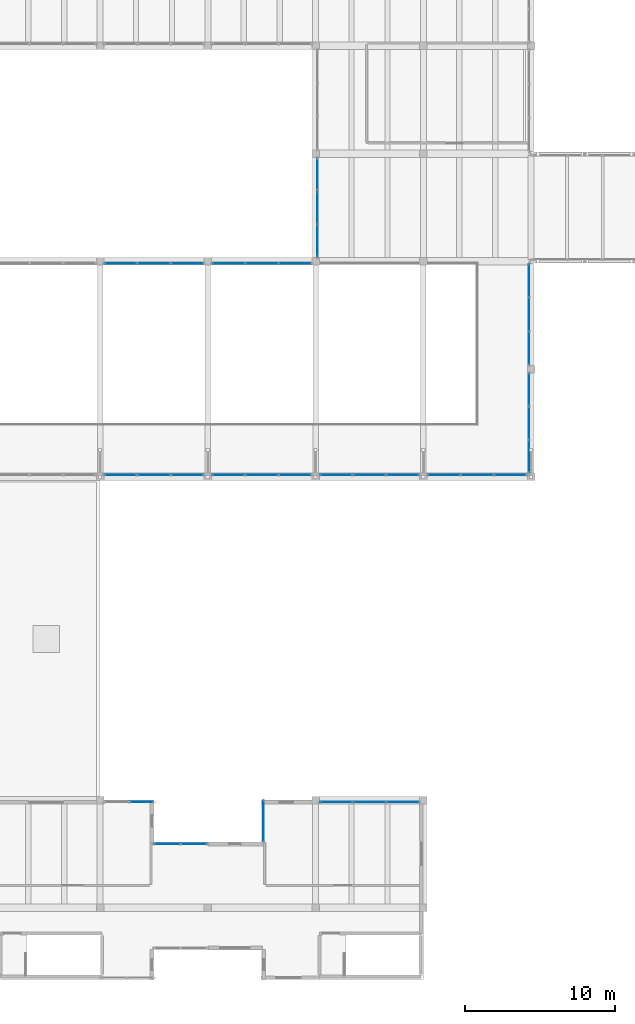
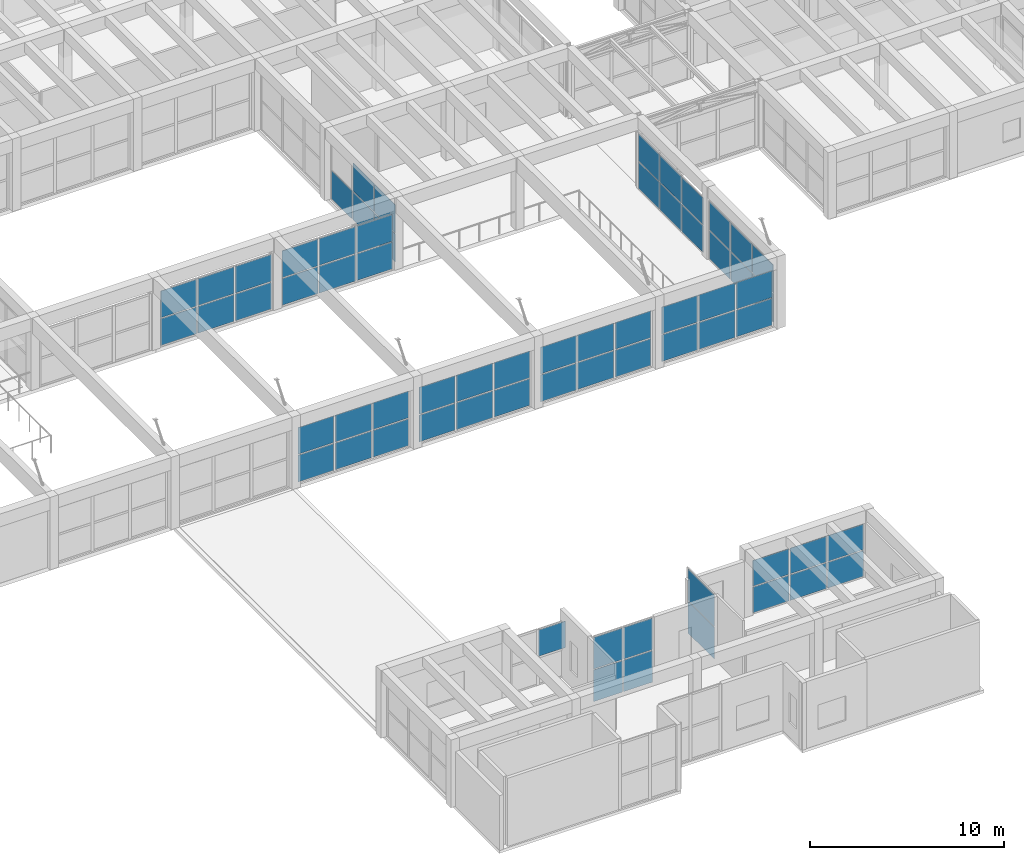
# One storey, part 119 of 153: 66 plates, 13 elements without a shape of their own.
"""IFC4 building model written with IfcOpenShell, lengths in metres."""

from ifc_helpers import new_model, si_unit, direction, frame, origin, origin_2d, place, context, subcontext, project, spatial, rectangle, extrude, material, layer, layer_set, type_object, element, aggregate, save


model = new_model("IFC4")

# Units and contexts
model_context = context("Model", 3, precision=1e-05, world=origin(), true_north=direction((0.0, 1.0)))
body_context = subcontext(model_context, "Body", "Model", "MODEL_VIEW")
ifc_project = project(units=[si_unit("LENGTHUNIT", "METRE"), si_unit("AREAUNIT", "SQUARE_METRE"), si_unit("VOLUMEUNIT", "CUBIC_METRE"), si_unit("PLANEANGLEUNIT", "RADIAN"), si_unit("MASSUNIT", "GRAM", prefix="KILO")], contexts=[model_context])

# Site, building, storey
site_placement = place(None, origin())
site = spatial("IfcSite", under=ifc_project, at=site_placement, CompositionType="ELEMENT")
building_placement = place(site_placement, origin())
building = spatial("IfcBuilding", under=site, at=building_placement, Name="Bramvelor Terrace Health Centre", CompositionType="ELEMENT")
storey_placement = place(building_placement, frame((0.0, 0.0, 4.800048828125)))
storey = spatial("IfcBuildingStorey", under=building, at=storey_placement, Name="L02", CompositionType="ELEMENT", Elevation=4.800048828125)

# Curtain wall, plates
ifc_material_1 = material(Name="Anodized aluminium and double low-E glass", Category="aluminium")
curtain_wall_type_1 = type_object("IfcCurtainWallType", Name="CW-SYS-01", PredefinedType="NOTDEFINED", material=ifc_material_1)
curtain_wall_1_placement = place(storey_placement, origin())
curtain_wall_1 = element("IfcCurtainWall", 1, at=curtain_wall_1_placement, inside=storey, type_object=curtain_wall_type_1, Name="L02 Unitized Curtain Wall 115", PredefinedType="NOTDEFINED")
ifc_material_2 = material(Name="Double low-E laminated glass", Category="glass")
ifc_layer = layer(ifc_material_2, 0.028076171875)
ifc_layer_set = layer_set([ifc_layer], Name="Double low-E laminated glass")
plate_type = type_object("IfcPlateType", Name="CW-PNL-GLZ28", PredefinedType="CURTAIN_PANEL", material=ifc_layer_set)
plate_1_placement = place(storey_placement, frame((93.469970703125, 49.117919921875, 0.06494140625), z_axis=(0.0, 0.0, 1.0), x_axis=(0.0, -1.0, 0.0)))
plate_1 = element("IfcPlate", 2, at=plate_1_placement, type_object=plate_type, Name="CW-01 panel 1.1", PredefinedType="CURTAIN_PANEL", context=body_context, shape_type="SweptSolid", body=[
    extrude(rectangle(XDim=2.1640625, YDim=0.028076171875, at=origin_2d()), origin(), (0.0, 0.0, 1.0), 1.676513671875),
])
plate_2_placement = place(storey_placement, frame((93.469970703125, 49.117919921875, 1.806640625), z_axis=(0.0, 0.0, 1.0), x_axis=(0.0, -1.0, 0.0)))
plate_2 = element("IfcPlate", 3, at=plate_2_placement, type_object=plate_type, Name="CW-01 panel 1.2", PredefinedType="CURTAIN_PANEL", context=body_context, shape_type="SweptSolid", body=[
    extrude(rectangle(XDim=2.1640625, YDim=0.028076171875, at=origin_2d()), origin(), (0.0, 0.0, 1.0), 1.676513671875),
])
plate_3_placement = place(storey_placement, frame((93.469970703125, 46.85986328125, 0.06494140625), z_axis=(0.0, 0.0, 1.0), x_axis=(0.0, -1.0, 0.0)))
plate_3 = element("IfcPlate", 4, at=plate_3_placement, type_object=plate_type, Name="CW-01 panel 2.1", PredefinedType="CURTAIN_PANEL", context=body_context, shape_type="SweptSolid", body=[
    extrude(rectangle(XDim=2.20166015625, YDim=0.028076171875, at=origin_2d()), origin(), (0.0, 0.0, 1.0), 1.676513671875),
])
plate_4_placement = place(storey_placement, frame((93.469970703125, 46.85986328125, 1.806640625), z_axis=(0.0, 0.0, 1.0), x_axis=(0.0, -1.0, 0.0)))
plate_4 = element("IfcPlate", 5, at=plate_4_placement, type_object=plate_type, Name="CW-01 panel 2.2", PredefinedType="CURTAIN_PANEL", context=body_context, shape_type="SweptSolid", body=[
    extrude(rectangle(XDim=2.20166015625, YDim=0.028076171875, at=origin_2d()), origin(), (0.0, 0.0, 1.0), 1.676513671875),
])
plate_5_placement = place(storey_placement, frame((93.469970703125, 44.60205078125, 0.06494140625), z_axis=(0.0, 0.0, 1.0), x_axis=(0.0, -1.0, 0.0)))
plate_5 = element("IfcPlate", 6, at=plate_5_placement, type_object=plate_type, Name="CW-01 panel 3.1", PredefinedType="CURTAIN_PANEL", context=body_context, shape_type="SweptSolid", body=[
    extrude(rectangle(XDim=2.1640625, YDim=0.028076171875, at=origin_2d()), origin(), (0.0, 0.0, 1.0), 1.676513671875),
])
plate_6_placement = place(storey_placement, frame((93.469970703125, 44.60205078125, 1.806640625), z_axis=(0.0, 0.0, 1.0), x_axis=(0.0, -1.0, 0.0)))
plate_6 = element("IfcPlate", 7, at=plate_6_placement, type_object=plate_type, Name="CW-01 panel 3.2", PredefinedType="CURTAIN_PANEL", context=body_context, shape_type="SweptSolid", body=[
    extrude(rectangle(XDim=2.1640625, YDim=0.028076171875, at=origin_2d()), origin(), (0.0, 0.0, 1.0), 1.676513671875),
])
aggregate(curtain_wall_1, [plate_1, plate_2, plate_3, plate_4, plate_5, plate_6])

ifc_material_3 = material(Name="Anodized aluminium and double low-E glass", Category="aluminium")
curtain_wall_type_2 = type_object("IfcCurtainWallType", Name="CW-SYS-17", PredefinedType="NOTDEFINED", material=ifc_material_3)
curtain_wall_2_placement = place(storey_placement, origin())
curtain_wall_2 = element("IfcCurtainWall", 8, at=curtain_wall_2_placement, inside=storey, type_object=curtain_wall_type_2, Name="L02 Unitized Curtain Wall 116", PredefinedType="NOTDEFINED")
plate_7_placement = place(storey_placement, frame((93.469970703125, 41.81787109375, 0.06494140625), z_axis=(0.0, 0.0, 1.0), x_axis=(0.0, -1.0, 0.0)))
plate_7 = element("IfcPlate", 9, at=plate_7_placement, type_object=plate_type, Name="CW-17 panel 1.1", PredefinedType="CURTAIN_PANEL", context=body_context, shape_type="SweptSolid", body=[
    extrude(rectangle(XDim=2.124267578125, YDim=0.028076171875, at=origin_2d()), origin(), (0.0, 0.0, 1.0), 1.757568359375),
])
plate_8_placement = place(storey_placement, frame((93.469970703125, 41.81787109375, 1.88720703125), z_axis=(0.0, 0.0, 1.0), x_axis=(0.0, -1.0, 0.0)))
plate_8 = element("IfcPlate", 10, at=plate_8_placement, type_object=plate_type, Name="CW-17 panel 1.2", PredefinedType="CURTAIN_PANEL", context=body_context, shape_type="SweptSolid", body=[
    extrude(rectangle(XDim=2.124267578125, YDim=0.028076171875, at=origin_2d()), origin(), (0.0, 0.0, 1.0), 1.757568359375),
])
plate_9_placement = place(storey_placement, frame((93.469970703125, 39.60009765625, 0.06494140625), z_axis=(0.0, 0.0, 1.0), x_axis=(0.0, -1.0, 0.0)))
plate_9 = element("IfcPlate", 11, at=plate_9_placement, type_object=plate_type, Name="CW-17 panel 2.1", PredefinedType="CURTAIN_PANEL", context=body_context, shape_type="SweptSolid", body=[
    extrude(rectangle(XDim=2.16162109375, YDim=0.028076171875, at=origin_2d()), origin(), (0.0, 0.0, 1.0), 1.757568359375),
])
plate_10_placement = place(storey_placement, frame((93.469970703125, 39.60009765625, 1.88720703125), z_axis=(0.0, 0.0, 1.0), x_axis=(0.0, -1.0, 0.0)))
plate_10 = element("IfcPlate", 12, at=plate_10_placement, type_object=plate_type, Name="CW-17 panel 2.2", PredefinedType="CURTAIN_PANEL", context=body_context, shape_type="SweptSolid", body=[
    extrude(rectangle(XDim=2.16162109375, YDim=0.028076171875, at=origin_2d()), origin(), (0.0, 0.0, 1.0), 1.757568359375),
])
plate_11_placement = place(storey_placement, frame((93.469970703125, 37.382080078125, 0.06494140625), z_axis=(0.0, 0.0, 1.0), x_axis=(0.0, -1.0, 0.0)))
plate_11 = element("IfcPlate", 13, at=plate_11_placement, type_object=plate_type, Name="CW-17 panel 3.1", PredefinedType="CURTAIN_PANEL", context=body_context, shape_type="SweptSolid", body=[
    extrude(rectangle(XDim=2.124267578125, YDim=0.028076171875, at=origin_2d()), origin(), (0.0, 0.0, 1.0), 1.757568359375),
])
plate_12_placement = place(storey_placement, frame((93.469970703125, 37.382080078125, 1.88720703125), z_axis=(0.0, 0.0, 1.0), x_axis=(0.0, -1.0, 0.0)))
plate_12 = element("IfcPlate", 14, at=plate_12_placement, type_object=plate_type, Name="CW-17 panel 3.2", PredefinedType="CURTAIN_PANEL", context=body_context, shape_type="SweptSolid", body=[
    extrude(rectangle(XDim=2.124267578125, YDim=0.028076171875, at=origin_2d()), origin(), (0.0, 0.0, 1.0), 1.757568359375),
])
aggregate(curtain_wall_2, [plate_7, plate_8, plate_9, plate_10, plate_11, plate_12])

ifc_material_4 = material(Name="Anodized aluminium and double low-E glass", Category="aluminium")
curtain_wall_type_3 = type_object("IfcCurtainWallType", Name="CW-SYS-20", PredefinedType="NOTDEFINED", material=ifc_material_4)
curtain_wall_3_placement = place(storey_placement, origin())
curtain_wall_3 = element("IfcCurtainWall", 15, at=curtain_wall_3_placement, inside=storey, type_object=curtain_wall_type_3, Name="L02 Unitized Curtain Wall 117", PredefinedType="NOTDEFINED")
plate_13_placement = place(storey_placement, frame((92.218017578125, 36.1298828125, 0.06494140625), z_axis=(0.0, 0.0, 1.0), x_axis=(-1.0, 0.0, 0.0)))
plate_13 = element("IfcPlate", 16, at=plate_13_placement, type_object=plate_type, Name="CW-20 panel 1.1", PredefinedType="CURTAIN_PANEL", context=body_context, shape_type="SweptSolid", body=[
    extrude(rectangle(XDim=2.124267578125, YDim=0.028076171875, at=origin_2d()), origin(), (0.0, 0.0, 1.0), 1.677490234375),
])
plate_14_placement = place(storey_placement, frame((92.218017578125, 36.1298828125, 1.8076171875), z_axis=(0.0, 0.0, 1.0), x_axis=(-1.0, 0.0, 0.0)))
plate_14 = element("IfcPlate", 17, at=plate_14_placement, type_object=plate_type, Name="CW-20 panel 1.2", PredefinedType="CURTAIN_PANEL", context=body_context, shape_type="SweptSolid", body=[
    extrude(rectangle(XDim=2.124267578125, YDim=0.028076171875, at=origin_2d()), origin(), (0.0, 0.0, 1.0), 1.677490234375),
])
plate_15_placement = place(storey_placement, frame((90.0, 36.1298828125, 0.06494140625), z_axis=(0.0, 0.0, 1.0), x_axis=(-1.0, 0.0, 0.0)))
plate_15 = element("IfcPlate", 18, at=plate_15_placement, type_object=plate_type, Name="CW-20 panel 2.1", PredefinedType="CURTAIN_PANEL", context=body_context, shape_type="SweptSolid", body=[
    extrude(rectangle(XDim=2.16162109375, YDim=0.028076171875, at=origin_2d()), origin(), (0.0, 0.0, 1.0), 1.677490234375),
])
plate_16_placement = place(storey_placement, frame((90.0, 36.1298828125, 1.8076171875), z_axis=(0.0, 0.0, 1.0), x_axis=(-1.0, 0.0, 0.0)))
plate_16 = element("IfcPlate", 19, at=plate_16_placement, type_object=plate_type, Name="CW-20 panel 2.2", PredefinedType="CURTAIN_PANEL", context=body_context, shape_type="SweptSolid", body=[
    extrude(rectangle(XDim=2.16162109375, YDim=0.028076171875, at=origin_2d()), origin(), (0.0, 0.0, 1.0), 1.677490234375),
])
plate_17_placement = place(storey_placement, frame((87.781982421875, 36.1298828125, 0.06494140625), z_axis=(0.0, 0.0, 1.0), x_axis=(-1.0, 0.0, 0.0)))
plate_17 = element("IfcPlate", 20, at=plate_17_placement, type_object=plate_type, Name="CW-20 panel 3.1", PredefinedType="CURTAIN_PANEL", context=body_context, shape_type="SweptSolid", body=[
    extrude(rectangle(XDim=2.124267578125, YDim=0.028076171875, at=origin_2d()), origin(), (0.0, 0.0, 1.0), 1.677490234375),
])
plate_18_placement = place(storey_placement, frame((87.781982421875, 36.1298828125, 1.8076171875), z_axis=(0.0, 0.0, 1.0), x_axis=(-1.0, 0.0, 0.0)))
plate_18 = element("IfcPlate", 21, at=plate_18_placement, type_object=plate_type, Name="CW-20 panel 3.2", PredefinedType="CURTAIN_PANEL", context=body_context, shape_type="SweptSolid", body=[
    extrude(rectangle(XDim=2.124267578125, YDim=0.028076171875, at=origin_2d()), origin(), (0.0, 0.0, 1.0), 1.677490234375),
])
aggregate(curtain_wall_3, [plate_13, plate_14, plate_15, plate_16, plate_17, plate_18])

curtain_wall_4_placement = place(storey_placement, origin())
curtain_wall_4 = element("IfcCurtainWall", 22, at=curtain_wall_4_placement, inside=storey, type_object=curtain_wall_type_3, Name="L02 Unitized Curtain Wall 118", PredefinedType="NOTDEFINED")
plate_19_placement = place(storey_placement, frame((85.017822265625, 36.1298828125, 0.06494140625), z_axis=(0.0, 0.0, 1.0), x_axis=(-1.0, 0.0, 0.0)))
plate_19 = element("IfcPlate", 23, at=plate_19_placement, type_object=plate_type, Name="CW-20 panel 1.1", PredefinedType="CURTAIN_PANEL", context=body_context, shape_type="SweptSolid", body=[
    extrude(rectangle(XDim=2.124267578125, YDim=0.028076171875, at=origin_2d()), origin(), (0.0, 0.0, 1.0), 1.677490234375),
])
plate_20_placement = place(storey_placement, frame((85.017822265625, 36.1298828125, 1.8076171875), z_axis=(0.0, 0.0, 1.0), x_axis=(-1.0, 0.0, 0.0)))
plate_20 = element("IfcPlate", 24, at=plate_20_placement, type_object=plate_type, Name="CW-20 panel 1.2", PredefinedType="CURTAIN_PANEL", context=body_context, shape_type="SweptSolid", body=[
    extrude(rectangle(XDim=2.124267578125, YDim=0.028076171875, at=origin_2d()), origin(), (0.0, 0.0, 1.0), 1.677490234375),
])
plate_21_placement = place(storey_placement, frame((82.800048828125, 36.1298828125, 0.06494140625), z_axis=(0.0, 0.0, 1.0), x_axis=(-1.0, 0.0, 0.0)))
plate_21 = element("IfcPlate", 25, at=plate_21_placement, type_object=plate_type, Name="CW-20 panel 2.1", PredefinedType="CURTAIN_PANEL", context=body_context, shape_type="SweptSolid", body=[
    extrude(rectangle(XDim=2.16162109375, YDim=0.028076171875, at=origin_2d()), origin(), (0.0, 0.0, 1.0), 1.677490234375),
])
plate_22_placement = place(storey_placement, frame((82.800048828125, 36.1298828125, 1.8076171875), z_axis=(0.0, 0.0, 1.0), x_axis=(-1.0, 0.0, 0.0)))
plate_22 = element("IfcPlate", 26, at=plate_22_placement, type_object=plate_type, Name="CW-20 panel 2.2", PredefinedType="CURTAIN_PANEL", context=body_context, shape_type="SweptSolid", body=[
    extrude(rectangle(XDim=2.16162109375, YDim=0.028076171875, at=origin_2d()), origin(), (0.0, 0.0, 1.0), 1.677490234375),
])
plate_23_placement = place(storey_placement, frame((80.58203125, 36.1298828125, 0.06494140625), z_axis=(0.0, 0.0, 1.0), x_axis=(-1.0, 0.0, 0.0)))
plate_23 = element("IfcPlate", 27, at=plate_23_placement, type_object=plate_type, Name="CW-20 panel 3.1", PredefinedType="CURTAIN_PANEL", context=body_context, shape_type="SweptSolid", body=[
    extrude(rectangle(XDim=2.124267578125, YDim=0.028076171875, at=origin_2d()), origin(), (0.0, 0.0, 1.0), 1.677490234375),
])
plate_24_placement = place(storey_placement, frame((80.58203125, 36.1298828125, 1.8076171875), z_axis=(0.0, 0.0, 1.0), x_axis=(-1.0, 0.0, 0.0)))
plate_24 = element("IfcPlate", 28, at=plate_24_placement, type_object=plate_type, Name="CW-20 panel 3.2", PredefinedType="CURTAIN_PANEL", context=body_context, shape_type="SweptSolid", body=[
    extrude(rectangle(XDim=2.124267578125, YDim=0.028076171875, at=origin_2d()), origin(), (0.0, 0.0, 1.0), 1.677490234375),
])
aggregate(curtain_wall_4, [plate_19, plate_20, plate_21, plate_22, plate_23, plate_24])

curtain_wall_5_placement = place(storey_placement, origin())
curtain_wall_5 = element("IfcCurtainWall", 29, at=curtain_wall_5_placement, inside=storey, type_object=curtain_wall_type_3, Name="L02 Unitized Curtain Wall 119", PredefinedType="NOTDEFINED")
plate_25_placement = place(storey_placement, frame((77.81787109375, 36.1298828125, 0.06494140625), z_axis=(0.0, 0.0, 1.0), x_axis=(-1.0, 0.0, 0.0)))
plate_25 = element("IfcPlate", 30, at=plate_25_placement, type_object=plate_type, Name="CW-20 panel 1.1", PredefinedType="CURTAIN_PANEL", context=body_context, shape_type="SweptSolid", body=[
    extrude(rectangle(XDim=2.124267578125, YDim=0.028076171875, at=origin_2d()), origin(), (0.0, 0.0, 1.0), 1.677490234375),
])
plate_26_placement = place(storey_placement, frame((77.81787109375, 36.1298828125, 1.8076171875), z_axis=(0.0, 0.0, 1.0), x_axis=(-1.0, 0.0, 0.0)))
plate_26 = element("IfcPlate", 31, at=plate_26_placement, type_object=plate_type, Name="CW-20 panel 1.2", PredefinedType="CURTAIN_PANEL", context=body_context, shape_type="SweptSolid", body=[
    extrude(rectangle(XDim=2.124267578125, YDim=0.028076171875, at=origin_2d()), origin(), (0.0, 0.0, 1.0), 1.677490234375),
])
plate_27_placement = place(storey_placement, frame((75.60009765625, 36.1298828125, 0.06494140625), z_axis=(0.0, 0.0, 1.0), x_axis=(-1.0, 0.0, 0.0)))
plate_27 = element("IfcPlate", 32, at=plate_27_placement, type_object=plate_type, Name="CW-20 panel 2.1", PredefinedType="CURTAIN_PANEL", context=body_context, shape_type="SweptSolid", body=[
    extrude(rectangle(XDim=2.16162109375, YDim=0.028076171875, at=origin_2d()), origin(), (0.0, 0.0, 1.0), 1.677490234375),
])
plate_28_placement = place(storey_placement, frame((75.60009765625, 36.1298828125, 1.8076171875), z_axis=(0.0, 0.0, 1.0), x_axis=(-1.0, 0.0, 0.0)))
plate_28 = element("IfcPlate", 33, at=plate_28_placement, type_object=plate_type, Name="CW-20 panel 2.2", PredefinedType="CURTAIN_PANEL", context=body_context, shape_type="SweptSolid", body=[
    extrude(rectangle(XDim=2.16162109375, YDim=0.028076171875, at=origin_2d()), origin(), (0.0, 0.0, 1.0), 1.677490234375),
])
plate_29_placement = place(storey_placement, frame((73.382080078125, 36.1298828125, 0.06494140625), z_axis=(0.0, 0.0, 1.0), x_axis=(-1.0, 0.0, 0.0)))
plate_29 = element("IfcPlate", 34, at=plate_29_placement, type_object=plate_type, Name="CW-20 panel 3.1", PredefinedType="CURTAIN_PANEL", context=body_context, shape_type="SweptSolid", body=[
    extrude(rectangle(XDim=2.124267578125, YDim=0.028076171875, at=origin_2d()), origin(), (0.0, 0.0, 1.0), 1.677490234375),
])
plate_30_placement = place(storey_placement, frame((73.382080078125, 36.1298828125, 1.8076171875), z_axis=(0.0, 0.0, 1.0), x_axis=(-1.0, 0.0, 0.0)))
plate_30 = element("IfcPlate", 35, at=plate_30_placement, type_object=plate_type, Name="CW-20 panel 3.2", PredefinedType="CURTAIN_PANEL", context=body_context, shape_type="SweptSolid", body=[
    extrude(rectangle(XDim=2.124267578125, YDim=0.028076171875, at=origin_2d()), origin(), (0.0, 0.0, 1.0), 1.677490234375),
])
aggregate(curtain_wall_5, [plate_25, plate_26, plate_27, plate_28, plate_29, plate_30])

curtain_wall_6_placement = place(storey_placement, origin())
curtain_wall_6 = element("IfcCurtainWall", 36, at=curtain_wall_6_placement, inside=storey, type_object=curtain_wall_type_3, Name="L02 Unitized Curtain Wall 120", PredefinedType="NOTDEFINED")
plate_31_placement = place(storey_placement, frame((70.617919921875, 36.1298828125, 0.06494140625), z_axis=(0.0, 0.0, 1.0), x_axis=(-1.0, 0.0, 0.0)))
plate_31 = element("IfcPlate", 37, at=plate_31_placement, type_object=plate_type, Name="CW-20 panel 1.1", PredefinedType="CURTAIN_PANEL", context=body_context, shape_type="SweptSolid", body=[
    extrude(rectangle(XDim=2.124267578125, YDim=0.028076171875, at=origin_2d()), origin(), (0.0, 0.0, 1.0), 1.677490234375),
])
plate_32_placement = place(storey_placement, frame((70.617919921875, 36.1298828125, 1.8076171875), z_axis=(0.0, 0.0, 1.0), x_axis=(-1.0, 0.0, 0.0)))
plate_32 = element("IfcPlate", 38, at=plate_32_placement, type_object=plate_type, Name="CW-20 panel 1.2", PredefinedType="CURTAIN_PANEL", context=body_context, shape_type="SweptSolid", body=[
    extrude(rectangle(XDim=2.124267578125, YDim=0.028076171875, at=origin_2d()), origin(), (0.0, 0.0, 1.0), 1.677490234375),
])
plate_33_placement = place(storey_placement, frame((68.39990234375, 36.1298828125, 0.06494140625), z_axis=(0.0, 0.0, 1.0), x_axis=(-1.0, 0.0, 0.0)))
plate_33 = element("IfcPlate", 39, at=plate_33_placement, type_object=plate_type, Name="CW-20 panel 2.1", PredefinedType="CURTAIN_PANEL", context=body_context, shape_type="SweptSolid", body=[
    extrude(rectangle(XDim=2.16162109375, YDim=0.028076171875, at=origin_2d()), origin(), (0.0, 0.0, 1.0), 1.677490234375),
])
plate_34_placement = place(storey_placement, frame((68.39990234375, 36.1298828125, 1.8076171875), z_axis=(0.0, 0.0, 1.0), x_axis=(-1.0, 0.0, 0.0)))
plate_34 = element("IfcPlate", 40, at=plate_34_placement, type_object=plate_type, Name="CW-20 panel 2.2", PredefinedType="CURTAIN_PANEL", context=body_context, shape_type="SweptSolid", body=[
    extrude(rectangle(XDim=2.16162109375, YDim=0.028076171875, at=origin_2d()), origin(), (0.0, 0.0, 1.0), 1.677490234375),
])
plate_35_placement = place(storey_placement, frame((66.18212890625, 36.1298828125, 0.06494140625), z_axis=(0.0, 0.0, 1.0), x_axis=(-1.0, 0.0, 0.0)))
plate_35 = element("IfcPlate", 41, at=plate_35_placement, type_object=plate_type, Name="CW-20 panel 3.1", PredefinedType="CURTAIN_PANEL", context=body_context, shape_type="SweptSolid", body=[
    extrude(rectangle(XDim=2.124267578125, YDim=0.028076171875, at=origin_2d()), origin(), (0.0, 0.0, 1.0), 1.677490234375),
])
plate_36_placement = place(storey_placement, frame((66.18212890625, 36.1298828125, 1.8076171875), z_axis=(0.0, 0.0, 1.0), x_axis=(-1.0, 0.0, 0.0)))
plate_36 = element("IfcPlate", 42, at=plate_36_placement, type_object=plate_type, Name="CW-20 panel 3.2", PredefinedType="CURTAIN_PANEL", context=body_context, shape_type="SweptSolid", body=[
    extrude(rectangle(XDim=2.124267578125, YDim=0.028076171875, at=origin_2d()), origin(), (0.0, 0.0, 1.0), 1.677490234375),
])
aggregate(curtain_wall_6, [plate_31, plate_32, plate_33, plate_34, plate_35, plate_36])

curtain_wall_7_placement = place(storey_placement, origin())
curtain_wall_7 = element("IfcCurtainWall", 43, at=curtain_wall_7_placement, inside=storey, type_object=curtain_wall_type_3, Name="L02 Unitized Curtain Wall 136", PredefinedType="NOTDEFINED")
plate_37_placement = place(storey_placement, frame((66.18212890625, 50.27001953125, 0.06494140625), z_axis=(0.0, 0.0, 1.0), x_axis=(1.0, 0.0, 0.0)))
plate_37 = element("IfcPlate", 44, at=plate_37_placement, type_object=plate_type, Name="CW-20 panel 1.1", PredefinedType="CURTAIN_PANEL", context=body_context, shape_type="SweptSolid", body=[
    extrude(rectangle(XDim=2.124267578125, YDim=0.028076171875, at=origin_2d()), origin(), (0.0, 0.0, 1.0), 1.677490234375),
])
plate_38_placement = place(storey_placement, frame((66.18212890625, 50.27001953125, 1.8076171875), z_axis=(0.0, 0.0, 1.0), x_axis=(1.0, 0.0, 0.0)))
plate_38 = element("IfcPlate", 45, at=plate_38_placement, type_object=plate_type, Name="CW-20 panel 1.2", PredefinedType="CURTAIN_PANEL", context=body_context, shape_type="SweptSolid", body=[
    extrude(rectangle(XDim=2.124267578125, YDim=0.028076171875, at=origin_2d()), origin(), (0.0, 0.0, 1.0), 1.677490234375),
])
plate_39_placement = place(storey_placement, frame((68.39990234375, 50.27001953125, 0.06494140625), z_axis=(0.0, 0.0, 1.0), x_axis=(1.0, 0.0, 0.0)))
plate_39 = element("IfcPlate", 46, at=plate_39_placement, type_object=plate_type, Name="CW-20 panel 2.1", PredefinedType="CURTAIN_PANEL", context=body_context, shape_type="SweptSolid", body=[
    extrude(rectangle(XDim=2.16162109375, YDim=0.028076171875, at=origin_2d()), origin(), (0.0, 0.0, 1.0), 1.677490234375),
])
plate_40_placement = place(storey_placement, frame((68.39990234375, 50.27001953125, 1.8076171875), z_axis=(0.0, 0.0, 1.0), x_axis=(1.0, 0.0, 0.0)))
plate_40 = element("IfcPlate", 47, at=plate_40_placement, type_object=plate_type, Name="CW-20 panel 2.2", PredefinedType="CURTAIN_PANEL", context=body_context, shape_type="SweptSolid", body=[
    extrude(rectangle(XDim=2.16162109375, YDim=0.028076171875, at=origin_2d()), origin(), (0.0, 0.0, 1.0), 1.677490234375),
])
plate_41_placement = place(storey_placement, frame((70.617919921875, 50.27001953125, 0.06494140625), z_axis=(0.0, 0.0, 1.0), x_axis=(1.0, 0.0, 0.0)))
plate_41 = element("IfcPlate", 48, at=plate_41_placement, type_object=plate_type, Name="CW-20 panel 3.1", PredefinedType="CURTAIN_PANEL", context=body_context, shape_type="SweptSolid", body=[
    extrude(rectangle(XDim=2.124267578125, YDim=0.028076171875, at=origin_2d()), origin(), (0.0, 0.0, 1.0), 1.677490234375),
])
plate_42_placement = place(storey_placement, frame((70.617919921875, 50.27001953125, 1.8076171875), z_axis=(0.0, 0.0, 1.0), x_axis=(1.0, 0.0, 0.0)))
plate_42 = element("IfcPlate", 49, at=plate_42_placement, type_object=plate_type, Name="CW-20 panel 3.2", PredefinedType="CURTAIN_PANEL", context=body_context, shape_type="SweptSolid", body=[
    extrude(rectangle(XDim=2.124267578125, YDim=0.028076171875, at=origin_2d()), origin(), (0.0, 0.0, 1.0), 1.677490234375),
])
aggregate(curtain_wall_7, [plate_37, plate_38, plate_39, plate_40, plate_41, plate_42])

curtain_wall_8_placement = place(storey_placement, origin())
curtain_wall_8 = element("IfcCurtainWall", 50, at=curtain_wall_8_placement, inside=storey, type_object=curtain_wall_type_3, Name="L02 Unitized Curtain Wall 137", PredefinedType="NOTDEFINED")
plate_43_placement = place(storey_placement, frame((73.382080078125, 50.27001953125, 0.06494140625), z_axis=(0.0, 0.0, 1.0), x_axis=(1.0, 0.0, 0.0)))
plate_43 = element("IfcPlate", 51, at=plate_43_placement, type_object=plate_type, Name="CW-20 panel 1.1", PredefinedType="CURTAIN_PANEL", context=body_context, shape_type="SweptSolid", body=[
    extrude(rectangle(XDim=2.124267578125, YDim=0.028076171875, at=origin_2d()), origin(), (0.0, 0.0, 1.0), 1.677490234375),
])
plate_44_placement = place(storey_placement, frame((73.382080078125, 50.27001953125, 1.8076171875), z_axis=(0.0, 0.0, 1.0), x_axis=(1.0, 0.0, 0.0)))
plate_44 = element("IfcPlate", 52, at=plate_44_placement, type_object=plate_type, Name="CW-20 panel 1.2", PredefinedType="CURTAIN_PANEL", context=body_context, shape_type="SweptSolid", body=[
    extrude(rectangle(XDim=2.124267578125, YDim=0.028076171875, at=origin_2d()), origin(), (0.0, 0.0, 1.0), 1.677490234375),
])
plate_45_placement = place(storey_placement, frame((75.60009765625, 50.27001953125, 0.06494140625), z_axis=(0.0, 0.0, 1.0), x_axis=(1.0, 0.0, 0.0)))
plate_45 = element("IfcPlate", 53, at=plate_45_placement, type_object=plate_type, Name="CW-20 panel 2.1", PredefinedType="CURTAIN_PANEL", context=body_context, shape_type="SweptSolid", body=[
    extrude(rectangle(XDim=2.16162109375, YDim=0.028076171875, at=origin_2d()), origin(), (0.0, 0.0, 1.0), 1.677490234375),
])
plate_46_placement = place(storey_placement, frame((75.60009765625, 50.27001953125, 1.8076171875), z_axis=(0.0, 0.0, 1.0), x_axis=(1.0, 0.0, 0.0)))
plate_46 = element("IfcPlate", 54, at=plate_46_placement, type_object=plate_type, Name="CW-20 panel 2.2", PredefinedType="CURTAIN_PANEL", context=body_context, shape_type="SweptSolid", body=[
    extrude(rectangle(XDim=2.16162109375, YDim=0.028076171875, at=origin_2d()), origin(), (0.0, 0.0, 1.0), 1.677490234375),
])
plate_47_placement = place(storey_placement, frame((77.81787109375, 50.27001953125, 0.06494140625), z_axis=(0.0, 0.0, 1.0), x_axis=(1.0, 0.0, 0.0)))
plate_47 = element("IfcPlate", 55, at=plate_47_placement, type_object=plate_type, Name="CW-20 panel 3.1", PredefinedType="CURTAIN_PANEL", context=body_context, shape_type="SweptSolid", body=[
    extrude(rectangle(XDim=2.124267578125, YDim=0.028076171875, at=origin_2d()), origin(), (0.0, 0.0, 1.0), 1.677490234375),
])
plate_48_placement = place(storey_placement, frame((77.81787109375, 50.27001953125, 1.8076171875), z_axis=(0.0, 0.0, 1.0), x_axis=(1.0, 0.0, 0.0)))
plate_48 = element("IfcPlate", 56, at=plate_48_placement, type_object=plate_type, Name="CW-20 panel 3.2", PredefinedType="CURTAIN_PANEL", context=body_context, shape_type="SweptSolid", body=[
    extrude(rectangle(XDim=2.124267578125, YDim=0.028076171875, at=origin_2d()), origin(), (0.0, 0.0, 1.0), 1.677490234375),
])
aggregate(curtain_wall_8, [plate_43, plate_44, plate_45, plate_46, plate_47, plate_48])

curtain_wall_9_placement = place(storey_placement, origin())
curtain_wall_9 = element("IfcCurtainWall", 57, at=curtain_wall_9_placement, inside=storey, type_object=curtain_wall_type_2, Name="L02 Unitized Curtain Wall 138", PredefinedType="NOTDEFINED")
plate_49_placement = place(storey_placement, frame((79.330078125, 51.781982421875, 0.06494140625), z_axis=(0.0, 0.0, 1.0), x_axis=(0.0, 1.0, 0.0)))
plate_49 = element("IfcPlate", 58, at=plate_49_placement, type_object=plate_type, Name="CW-17 panel 1.1", PredefinedType="CURTAIN_PANEL", context=body_context, shape_type="SweptSolid", body=[
    extrude(rectangle(XDim=2.124267578125, YDim=0.028076171875, at=origin_2d()), origin(), (0.0, 0.0, 1.0), 1.757568359375),
])
plate_50_placement = place(storey_placement, frame((79.330078125, 51.781982421875, 1.88720703125), z_axis=(0.0, 0.0, 1.0), x_axis=(0.0, 1.0, 0.0)))
plate_50 = element("IfcPlate", 59, at=plate_50_placement, type_object=plate_type, Name="CW-17 panel 1.2", PredefinedType="CURTAIN_PANEL", context=body_context, shape_type="SweptSolid", body=[
    extrude(rectangle(XDim=2.124267578125, YDim=0.028076171875, at=origin_2d()), origin(), (0.0, 0.0, 1.0), 1.757568359375),
])
plate_51_placement = place(storey_placement, frame((79.330078125, 54.0, 0.06494140625), z_axis=(0.0, 0.0, 1.0), x_axis=(0.0, 1.0, 0.0)))
plate_51 = element("IfcPlate", 60, at=plate_51_placement, type_object=plate_type, Name="CW-17 panel 2.1", PredefinedType="CURTAIN_PANEL", context=body_context, shape_type="SweptSolid", body=[
    extrude(rectangle(XDim=2.16162109375, YDim=0.028076171875, at=origin_2d()), origin(), (0.0, 0.0, 1.0), 1.757568359375),
])
plate_52_placement = place(storey_placement, frame((79.330078125, 54.0, 1.88720703125), z_axis=(0.0, 0.0, 1.0), x_axis=(0.0, 1.0, 0.0)))
plate_52 = element("IfcPlate", 61, at=plate_52_placement, type_object=plate_type, Name="CW-17 panel 2.2", PredefinedType="CURTAIN_PANEL", context=body_context, shape_type="SweptSolid", body=[
    extrude(rectangle(XDim=2.16162109375, YDim=0.028076171875, at=origin_2d()), origin(), (0.0, 0.0, 1.0), 1.757568359375),
])
plate_53_placement = place(storey_placement, frame((79.330078125, 56.218017578125, 0.06494140625), z_axis=(0.0, 0.0, 1.0), x_axis=(0.0, 1.0, 0.0)))
plate_53 = element("IfcPlate", 62, at=plate_53_placement, type_object=plate_type, Name="CW-17 panel 3.1", PredefinedType="CURTAIN_PANEL", context=body_context, shape_type="SweptSolid", body=[
    extrude(rectangle(XDim=2.124267578125, YDim=0.028076171875, at=origin_2d()), origin(), (0.0, 0.0, 1.0), 1.757568359375),
])
aggregate(curtain_wall_9, [plate_49, plate_50, plate_51, plate_52, plate_53])

# Curtain wall, plate
ifc_material_5 = material(Name="Anodized aluminium and double low-E glass", Category="aluminium")
curtain_wall_type_4 = type_object("IfcCurtainWallType", Name="CW-SYS-25", PredefinedType="NOTDEFINED", material=ifc_material_5)
curtain_wall_10_placement = place(storey_placement, origin())
curtain_wall_10 = element("IfcCurtainWall", 63, at=curtain_wall_10_placement, inside=storey, type_object=curtain_wall_type_4, Name="L02 Unitized Curtain Wall 149", PredefinedType="NOTDEFINED")
plate_54_placement = place(storey_placement, frame((67.572509765625, 14.27001953125, 1.78759765625), z_axis=(0.0, 0.0, 1.0), x_axis=(1.0, 0.0, 0.0)))
plate_54 = element("IfcPlate", 64, at=plate_54_placement, type_object=plate_type, Name="CW-25 panel 2.2", PredefinedType="CURTAIN_PANEL", context=body_context, shape_type="SweptSolid", body=[
    extrude(rectangle(XDim=1.5849609375, YDim=0.028076171875, at=origin_2d()), origin(), (0.0, 0.0, 1.0), 1.657470703125),
])
aggregate(curtain_wall_10, [plate_54])

# Curtain wall, plates
ifc_material_6 = material(Name="Anodized aluminium and double low-E glass", Category="aluminium")
curtain_wall_type_5 = type_object("IfcCurtainWallType", Name="CW-SYS-24", PredefinedType="NOTDEFINED", material=ifc_material_6)
curtain_wall_11_placement = place(storey_placement, origin())
curtain_wall_11 = element("IfcCurtainWall", 65, at=curtain_wall_11_placement, inside=storey, type_object=curtain_wall_type_5, Name="L02 Unitized Curtain Wall 150", PredefinedType="NOTDEFINED")
plate_55_placement = place(storey_placement, frame((69.288818359375, 11.469970703125, 0.06494140625), z_axis=(0.0, 0.0, 1.0), x_axis=(1.0, 0.0, 0.0)))
plate_55 = element("IfcPlate", 66, at=plate_55_placement, type_object=plate_type, Name="CW-24 panel 1.1", PredefinedType="CURTAIN_PANEL", context=body_context, shape_type="SweptSolid", body=[
    extrude(rectangle(XDim=1.70751953125, YDim=0.028076171875, at=origin_2d()), origin(), (0.0, 0.0, 1.0), 1.982421875),
])
plate_56_placement = place(storey_placement, frame((69.288818359375, 11.469970703125, 2.112548828125), z_axis=(0.0, 0.0, 1.0), x_axis=(1.0, 0.0, 0.0)))
plate_56 = element("IfcPlate", 67, at=plate_56_placement, type_object=plate_type, Name="CW-24 panel 1.2", PredefinedType="CURTAIN_PANEL", context=body_context, shape_type="SweptSolid", body=[
    extrude(rectangle(XDim=1.70751953125, YDim=0.028076171875, at=origin_2d()), origin(), (0.0, 0.0, 1.0), 1.982421875),
])
plate_57_placement = place(storey_placement, frame((71.0712890625, 11.469970703125, 0.06494140625), z_axis=(0.0, 0.0, 1.0), x_axis=(1.0, 0.0, 0.0)))
plate_57 = element("IfcPlate", 68, at=plate_57_placement, type_object=plate_type, Name="CW-24 panel 2.1", PredefinedType="CURTAIN_PANEL", context=body_context, shape_type="SweptSolid", body=[
    extrude(rectangle(XDim=1.70751953125, YDim=0.028076171875, at=origin_2d()), origin(), (0.0, 0.0, 1.0), 1.982421875),
])
plate_58_placement = place(storey_placement, frame((71.0712890625, 11.469970703125, 2.112548828125), z_axis=(0.0, 0.0, 1.0), x_axis=(1.0, 0.0, 0.0)))
plate_58 = element("IfcPlate", 69, at=plate_58_placement, type_object=plate_type, Name="CW-24 panel 2.2", PredefinedType="CURTAIN_PANEL", context=body_context, shape_type="SweptSolid", body=[
    extrude(rectangle(XDim=1.70751953125, YDim=0.028076171875, at=origin_2d()), origin(), (0.0, 0.0, 1.0), 1.982421875),
])
aggregate(curtain_wall_11, [plate_55, plate_56, plate_57, plate_58])

ifc_material_7 = material(Name="Anodized aluminium and double low-E glass", Category="aluminium")
curtain_wall_type_6 = type_object("IfcCurtainWallType", Name="CW-SYS-26", PredefinedType="NOTDEFINED", material=ifc_material_7)
curtain_wall_12_placement = place(storey_placement, origin())
curtain_wall_12 = element("IfcCurtainWall", 70, at=curtain_wall_12_placement, inside=storey, type_object=curtain_wall_type_6, Name="L02 Unitized Curtain Wall 151", PredefinedType="NOTDEFINED")
plate_59_placement = place(storey_placement, frame((75.72998046875, 13.0, 0.06494140625), z_axis=(0.0, 0.0, 1.0), x_axis=(0.0, 1.0, 0.0)))
plate_59 = element("IfcPlate", 71, at=plate_59_placement, type_object=plate_type, Name="CW-26 panel 1.1", PredefinedType="CURTAIN_PANEL", context=body_context, shape_type="SweptSolid", body=[
    extrude(rectangle(XDim=2.68994140625, YDim=0.028076171875, at=origin_2d()), origin(), (0.0, 0.0, 1.0), 1.982421875),
])
plate_60_placement = place(storey_placement, frame((75.72998046875, 13.0, 2.112548828125), z_axis=(0.0, 0.0, 1.0), x_axis=(0.0, 1.0, 0.0)))
plate_60 = element("IfcPlate", 72, at=plate_60_placement, type_object=plate_type, Name="CW-26 panel 1.2", PredefinedType="CURTAIN_PANEL", context=body_context, shape_type="SweptSolid", body=[
    extrude(rectangle(XDim=2.68994140625, YDim=0.028076171875, at=origin_2d()), origin(), (0.0, 0.0, 1.0), 1.982421875),
])
aggregate(curtain_wall_12, [plate_59, plate_60])

ifc_material_8 = material(Name="Anodized aluminium and double low-E glass", Category="aluminium")
curtain_wall_type_7 = type_object("IfcCurtainWallType", Name="CW-SYS-16", PredefinedType="NOTDEFINED", material=ifc_material_8)
curtain_wall_13_placement = place(storey_placement, origin())
curtain_wall_13 = element("IfcCurtainWall", 73, at=curtain_wall_13_placement, inside=storey, type_object=curtain_wall_type_7, Name="L02 Unitized Curtain Wall 152", PredefinedType="NOTDEFINED")
plate_61_placement = place(storey_placement, frame((80.58203125, 14.27001953125, 0.06494140625), z_axis=(0.0, 0.0, 1.0), x_axis=(1.0, 0.0, 0.0)))
plate_61 = element("IfcPlate", 74, at=plate_61_placement, type_object=plate_type, Name="CW-16 panel 1.1", PredefinedType="CURTAIN_PANEL", context=body_context, shape_type="SweptSolid", body=[
    extrude(rectangle(XDim=2.124267578125, YDim=0.028076171875, at=origin_2d()), origin(), (0.0, 0.0, 1.0), 1.607421875),
])
plate_62_placement = place(storey_placement, frame((80.58203125, 14.27001953125, 1.737548828125), z_axis=(0.0, 0.0, 1.0), x_axis=(1.0, 0.0, 0.0)))
plate_62 = element("IfcPlate", 75, at=plate_62_placement, type_object=plate_type, Name="CW-16 panel 1.2", PredefinedType="CURTAIN_PANEL", context=body_context, shape_type="SweptSolid", body=[
    extrude(rectangle(XDim=2.124267578125, YDim=0.028076171875, at=origin_2d()), origin(), (0.0, 0.0, 1.0), 1.607421875),
])
plate_63_placement = place(storey_placement, frame((82.800048828125, 14.27001953125, 0.06494140625), z_axis=(0.0, 0.0, 1.0), x_axis=(1.0, 0.0, 0.0)))
plate_63 = element("IfcPlate", 76, at=plate_63_placement, type_object=plate_type, Name="CW-16 panel 2.1", PredefinedType="CURTAIN_PANEL", context=body_context, shape_type="SweptSolid", body=[
    extrude(rectangle(XDim=2.16162109375, YDim=0.028076171875, at=origin_2d()), origin(), (0.0, 0.0, 1.0), 1.607421875),
])
plate_64_placement = place(storey_placement, frame((82.800048828125, 14.27001953125, 1.737548828125), z_axis=(0.0, 0.0, 1.0), x_axis=(1.0, 0.0, 0.0)))
plate_64 = element("IfcPlate", 77, at=plate_64_placement, type_object=plate_type, Name="CW-16 panel 2.2", PredefinedType="CURTAIN_PANEL", context=body_context, shape_type="SweptSolid", body=[
    extrude(rectangle(XDim=2.16162109375, YDim=0.028076171875, at=origin_2d()), origin(), (0.0, 0.0, 1.0), 1.607421875),
])
plate_65_placement = place(storey_placement, frame((85.017822265625, 14.27001953125, 0.06494140625), z_axis=(0.0, 0.0, 1.0), x_axis=(1.0, 0.0, 0.0)))
plate_65 = element("IfcPlate", 78, at=plate_65_placement, type_object=plate_type, Name="CW-16 panel 3.1", PredefinedType="CURTAIN_PANEL", context=body_context, shape_type="SweptSolid", body=[
    extrude(rectangle(XDim=2.124267578125, YDim=0.028076171875, at=origin_2d()), origin(), (0.0, 0.0, 1.0), 1.607421875),
])
plate_66_placement = place(storey_placement, frame((85.017822265625, 14.27001953125, 1.737548828125), z_axis=(0.0, 0.0, 1.0), x_axis=(1.0, 0.0, 0.0)))
plate_66 = element("IfcPlate", 79, at=plate_66_placement, type_object=plate_type, Name="CW-16 panel 3.2", PredefinedType="CURTAIN_PANEL", context=body_context, shape_type="SweptSolid", body=[
    extrude(rectangle(XDim=2.124267578125, YDim=0.028076171875, at=origin_2d()), origin(), (0.0, 0.0, 1.0), 1.607421875),
])
aggregate(curtain_wall_13, [plate_61, plate_62, plate_63, plate_64, plate_65, plate_66])

save(model, "model.ifc")
